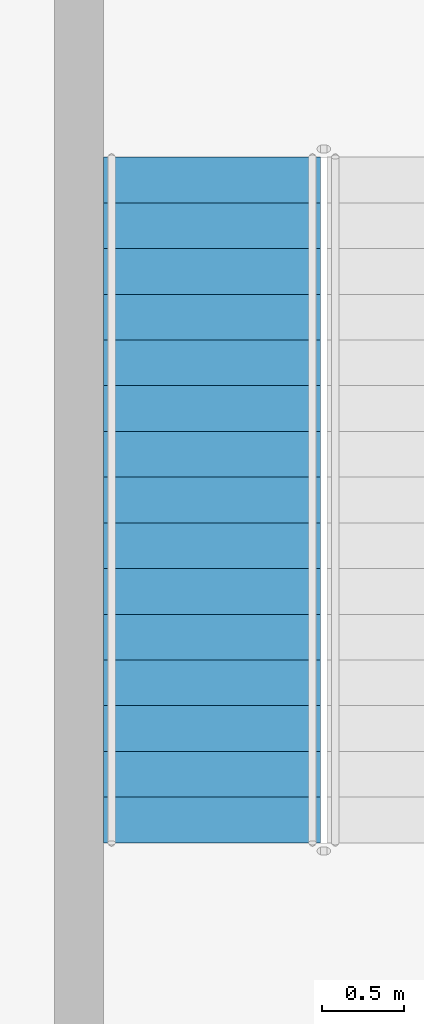
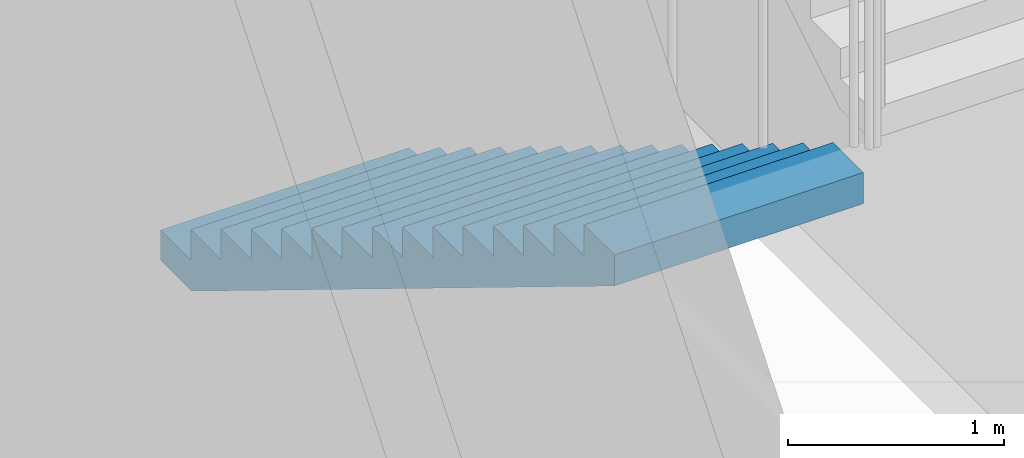
# One storey, part 16 of 23: 1 stair flight, 1 element without a shape of its own.
"""IFC4 building model written with IfcOpenShell, lengths in metres."""

from ifc_helpers import new_model, si_unit, direction, frame, origin, place, context, subcontext, project, spatial, triangles, source, transform, mapped, material, type_object, element, aggregate, save


model = new_model("IFC4")

# Units and contexts
model_context = context("Model", 3, precision=1e-05, world=origin(), true_north=direction((0.0, 1.0)))
body_context = subcontext(model_context, "Body", "Model", "MODEL_VIEW")
ifc_project = project(units=[si_unit("LENGTHUNIT", "METRE"), si_unit("AREAUNIT", "SQUARE_METRE"), si_unit("VOLUMEUNIT", "CUBIC_METRE"), si_unit("PLANEANGLEUNIT", "RADIAN"), si_unit("MASSUNIT", "GRAM", prefix="KILO")], contexts=[model_context])

# Site, building, storey
site_placement = place(None, origin())
site = spatial("IfcSite", under=ifc_project, at=site_placement, CompositionType="ELEMENT")
building_placement = place(site_placement, origin())
building = spatial("IfcBuilding", under=site, at=building_placement, Name="Ogive Portal Towers", CompositionType="ELEMENT")
storey_placement = place(building_placement, frame((0.0, 0.0, 249.39990234375)))
storey = spatial("IfcBuildingStorey", under=building, at=storey_placement, Name="L62", CompositionType="ELEMENT", Elevation=249.39990234375)

# Stair, stair flight
ifc_material = material(Name="Concrete C40/50", Category="concrete")
stair_type = type_object("IfcStairType", Name="INT-STAIR", PredefinedType="HALF_TURN_STAIR", material=ifc_material)
stair_placement = place(storey_placement, origin())
stair = element("IfcStair", 1, at=stair_placement, inside=storey, type_object=stair_type, Name="L62 Exit Stair ST-A4", PredefinedType="HALF_TURN_STAIR")
stair_flight_type = type_object("IfcStairFlightType", Name="INT-FLIGHT", PredefinedType="STRAIGHT", material=ifc_material)
shared_shape = source(origin(), body_context, "Body", "Tessellation", [
    triangles([(0.0, -0.6650390625, 0.0), (0.0, -0.384765625, 0.0), (0.0, -0.197021484375, 0.0), (0.0, -0.0830078125, 0.0), (0.0, -0.024658203125, 0.0), (0.0, -0.003173828125, 0.0), (0.0, 0.0, 0.0), (0.0, 0.003173828125, 0.0), (0.0, 0.024658203125, 0.0), (0.0, 0.0830078125, 0.0), (0.0, 0.197021484375, 0.0), (0.0, 0.384765625, 0.0), (0.0, 0.6650390625, 0.0), (0.0, -0.6650390625, 0.171875), (0.0, -0.384765625, 0.171875), (0.0, -0.197021484375, 0.171875), (0.0, -0.0830078125, 0.171875), (0.0, -0.024658203125, 0.171875), (0.0, -0.003173828125, 0.171875), (0.0, 0.0, 0.171875), (0.0, 0.003173828125, 0.171875), (0.0, 0.024658203125, 0.171875), (0.0, 0.0830078125, 0.171875), (0.0, 0.197021484375, 0.171875), (0.0, 0.384765625, 0.171875), (0.0, 0.6650390625, 0.171875), (0.280029296875, -0.6650390625, 0.171875), (0.280029296875, -0.384765625, 0.171875), (0.280029296875, -0.197021484375, 0.171875), (0.280029296875, -0.0830078125, 0.171875), (0.280029296875, -0.024658203125, 0.171875), (0.280029296875, -0.003173828125, 0.171875), (0.280029296875, 0.0, 0.171875), (0.280029296875, 0.003173828125, 0.171875), (0.280029296875, 0.024658203125, 0.171875), (0.280029296875, 0.0830078125, 0.171875), (0.280029296875, 0.197021484375, 0.171875), (0.280029296875, 0.384765625, 0.171875), (0.280029296875, 0.6650390625, 0.171875), (0.280029296875, -0.6650390625, 0.34375), (0.280029296875, -0.384765625, 0.34375), (0.280029296875, -0.197021484375, 0.34375), (0.280029296875, -0.0830078125, 0.34375), (0.280029296875, -0.024658203125, 0.34375), (0.280029296875, -0.003173828125, 0.34375), (0.280029296875, 0.0, 0.34375), (0.280029296875, 0.003173828125, 0.34375), (0.280029296875, 0.024658203125, 0.34375), (0.280029296875, 0.0830078125, 0.34375), (0.280029296875, 0.197021484375, 0.34375), (0.280029296875, 0.384765625, 0.34375), (0.280029296875, 0.6650390625, 0.34375), (0.56005859375, -0.6650390625, 0.34375), (0.56005859375, -0.384765625, 0.34375), (0.56005859375, -0.197021484375, 0.34375), (0.56005859375, -0.0830078125, 0.34375), (0.56005859375, -0.024658203125, 0.34375), (0.56005859375, -0.003173828125, 0.34375), (0.56005859375, 0.0, 0.34375), (0.56005859375, 0.003173828125, 0.34375), (0.56005859375, 0.024658203125, 0.34375), (0.56005859375, 0.0830078125, 0.34375), (0.56005859375, 0.197021484375, 0.34375), (0.56005859375, 0.384765625, 0.34375), (0.56005859375, 0.6650390625, 0.34375), (0.56005859375, -0.6650390625, 0.515625), (0.56005859375, -0.384765625, 0.515625), (0.56005859375, -0.197021484375, 0.515625), (0.56005859375, -0.0830078125, 0.515625), (0.56005859375, -0.024658203125, 0.515625), (0.56005859375, -0.003173828125, 0.515625), (0.56005859375, 0.0, 0.515625), (0.56005859375, 0.003173828125, 0.515625), (0.56005859375, 0.024658203125, 0.515625), (0.56005859375, 0.0830078125, 0.515625), (0.56005859375, 0.197021484375, 0.515625), (0.56005859375, 0.384765625, 0.515625), (0.56005859375, 0.6650390625, 0.515625), (0.840087890625, -0.6650390625, 0.515625), (0.840087890625, -0.384765625, 0.515625), (0.840087890625, -0.197021484375, 0.515625), (0.840087890625, -0.0830078125, 0.515625), (0.840087890625, -0.024658203125, 0.515625), (0.840087890625, -0.003173828125, 0.515625), (0.840087890625, 0.0, 0.515625), (0.840087890625, 0.003173828125, 0.515625), (0.840087890625, 0.024658203125, 0.515625), (0.840087890625, 0.0830078125, 0.515625), (0.840087890625, 0.197021484375, 0.515625), (0.840087890625, 0.384765625, 0.515625), (0.840087890625, 0.6650390625, 0.515625), (0.840087890625, -0.6650390625, 0.6875), (0.840087890625, -0.384765625, 0.6875), (0.840087890625, -0.197021484375, 0.6875), (0.840087890625, -0.0830078125, 0.6875), (0.840087890625, -0.024658203125, 0.6875), (0.840087890625, -0.003173828125, 0.6875), (0.840087890625, 0.0, 0.6875), (0.840087890625, 0.003173828125, 0.6875), (0.840087890625, 0.024658203125, 0.6875), (0.840087890625, 0.0830078125, 0.6875), (0.840087890625, 0.197021484375, 0.6875), (0.840087890625, 0.384765625, 0.6875), (0.840087890625, 0.6650390625, 0.6875), (1.1201171875, -0.6650390625, 0.6875), (1.1201171875, -0.384765625, 0.6875), (1.1201171875, -0.197021484375, 0.6875), (1.1201171875, -0.0830078125, 0.6875), (1.1201171875, -0.024658203125, 0.6875), (1.1201171875, -0.003173828125, 0.6875), (1.1201171875, 0.0, 0.6875), (1.1201171875, 0.003173828125, 0.6875), (1.1201171875, 0.024658203125, 0.6875), (1.1201171875, 0.0830078125, 0.6875), (1.1201171875, 0.197021484375, 0.6875), (1.1201171875, 0.384765625, 0.6875), (1.1201171875, 0.6650390625, 0.6875), (1.1201171875, -0.6650390625, 0.859375), (1.1201171875, -0.384765625, 0.859375), (1.1201171875, -0.197021484375, 0.859375), (1.1201171875, -0.0830078125, 0.859375), (1.1201171875, -0.024658203125, 0.859375), (1.1201171875, -0.003173828125, 0.859375), (1.1201171875, 0.0, 0.859375), (1.1201171875, 0.003173828125, 0.859375), (1.1201171875, 0.024658203125, 0.859375), (1.1201171875, 0.0830078125, 0.859375), (1.1201171875, 0.197021484375, 0.859375), (1.1201171875, 0.384765625, 0.859375), (1.1201171875, 0.6650390625, 0.859375), (1.39990234375, -0.6650390625, 0.859375), (1.39990234375, -0.384765625, 0.859375), (1.39990234375, -0.197021484375, 0.859375), (1.39990234375, -0.0830078125, 0.859375), (1.39990234375, -0.024658203125, 0.859375), (1.39990234375, -0.003173828125, 0.859375), (1.39990234375, 0.0, 0.859375), (1.39990234375, 0.003173828125, 0.859375), (1.39990234375, 0.024658203125, 0.859375), (1.39990234375, 0.0830078125, 0.859375), (1.39990234375, 0.197021484375, 0.859375), (1.39990234375, 0.384765625, 0.859375), (1.39990234375, 0.6650390625, 0.859375), (1.39990234375, -0.6650390625, 1.03125), (1.39990234375, -0.384765625, 1.03125), (1.39990234375, -0.197021484375, 1.03125), (1.39990234375, -0.0830078125, 1.03125), (1.39990234375, -0.024658203125, 1.03125), (1.39990234375, -0.003173828125, 1.03125), (1.39990234375, 0.0, 1.03125), (1.39990234375, 0.003173828125, 1.03125), (1.39990234375, 0.024658203125, 1.03125), (1.39990234375, 0.0830078125, 1.03125), (1.39990234375, 0.197021484375, 1.03125), (1.39990234375, 0.384765625, 1.03125), (1.39990234375, 0.6650390625, 1.03125), (1.679931640625, -0.6650390625, 1.03125), (1.679931640625, -0.384765625, 1.03125), (1.679931640625, -0.197021484375, 1.03125), (1.679931640625, -0.0830078125, 1.03125), (1.679931640625, -0.024658203125, 1.03125), (1.679931640625, -0.003173828125, 1.03125), (1.679931640625, 0.0, 1.03125), (1.679931640625, 0.003173828125, 1.03125), (1.679931640625, 0.024658203125, 1.03125), (1.679931640625, 0.0830078125, 1.03125), (1.679931640625, 0.197021484375, 1.03125), (1.679931640625, 0.384765625, 1.03125), (1.679931640625, 0.6650390625, 1.03125), (1.679931640625, -0.6650390625, 1.203125), (1.679931640625, -0.384765625, 1.203125), (1.679931640625, -0.197021484375, 1.203125), (1.679931640625, -0.0830078125, 1.203125), (1.679931640625, -0.024658203125, 1.203125), (1.679931640625, -0.003173828125, 1.203125), (1.679931640625, 0.0, 1.203125), (1.679931640625, 0.003173828125, 1.203125), (1.679931640625, 0.024658203125, 1.203125), (1.679931640625, 0.0830078125, 1.203125), (1.679931640625, 0.197021484375, 1.203125), (1.679931640625, 0.384765625, 1.203125), (1.679931640625, 0.6650390625, 1.203125), (1.9599609375, -0.6650390625, 1.203125), (1.9599609375, -0.384765625, 1.203125), (1.9599609375, -0.197021484375, 1.203125), (1.9599609375, -0.0830078125, 1.203125), (1.9599609375, -0.024658203125, 1.203125), (1.9599609375, -0.003173828125, 1.203125), (1.9599609375, 0.0, 1.203125), (1.9599609375, 0.003173828125, 1.203125), (1.9599609375, 0.024658203125, 1.203125), (1.9599609375, 0.0830078125, 1.203125), (1.9599609375, 0.197021484375, 1.203125), (1.9599609375, 0.384765625, 1.203125), (1.9599609375, 0.6650390625, 1.203125), (1.9599609375, -0.6650390625, 1.375), (1.9599609375, -0.384765625, 1.375), (1.9599609375, -0.197021484375, 1.375), (1.9599609375, -0.0830078125, 1.375), (1.9599609375, -0.024658203125, 1.375), (1.9599609375, -0.003173828125, 1.375), (1.9599609375, 0.0, 1.375), (1.9599609375, 0.003173828125, 1.375), (1.9599609375, 0.024658203125, 1.375), (1.9599609375, 0.0830078125, 1.375), (1.9599609375, 0.197021484375, 1.375), (1.9599609375, 0.384765625, 1.375), (1.9599609375, 0.6650390625, 1.375), (2.239990234375, -0.6650390625, 1.375), (2.239990234375, -0.384765625, 1.375), (2.239990234375, -0.197021484375, 1.375), (2.239990234375, -0.0830078125, 1.375), (2.239990234375, -0.024658203125, 1.375), (2.239990234375, -0.003173828125, 1.375), (2.239990234375, 0.0, 1.375), (2.239990234375, 0.003173828125, 1.375), (2.239990234375, 0.024658203125, 1.375), (2.239990234375, 0.0830078125, 1.375), (2.239990234375, 0.197021484375, 1.375), (2.239990234375, 0.384765625, 1.375), (2.239990234375, 0.6650390625, 1.375), (2.239990234375, -0.6650390625, 1.546875), (2.239990234375, -0.384765625, 1.546875), (2.239990234375, -0.197021484375, 1.546875), (2.239990234375, -0.0830078125, 1.546875), (2.239990234375, -0.024658203125, 1.546875), (2.239990234375, -0.003173828125, 1.546875), (2.239990234375, 0.0, 1.546875), (2.239990234375, 0.003173828125, 1.546875), (2.239990234375, 0.024658203125, 1.546875), (2.239990234375, 0.0830078125, 1.546875), (2.239990234375, 0.197021484375, 1.546875), (2.239990234375, 0.384765625, 1.546875), (2.239990234375, 0.6650390625, 1.546875), (2.52001953125, -0.6650390625, 1.546875), (2.52001953125, -0.384765625, 1.546875), (2.52001953125, -0.197021484375, 1.546875), (2.52001953125, -0.0830078125, 1.546875), (2.52001953125, -0.024658203125, 1.546875), (2.52001953125, -0.003173828125, 1.546875), (2.52001953125, 0.0, 1.546875), (2.52001953125, 0.003173828125, 1.546875), (2.52001953125, 0.024658203125, 1.546875), (2.52001953125, 0.0830078125, 1.546875), (2.52001953125, 0.197021484375, 1.546875), (2.52001953125, 0.384765625, 1.546875), (2.52001953125, 0.6650390625, 1.546875), (2.52001953125, -0.6650390625, 1.71875), (2.52001953125, -0.384765625, 1.71875), (2.52001953125, -0.197021484375, 1.71875), (2.52001953125, -0.0830078125, 1.71875), (2.52001953125, -0.024658203125, 1.71875), (2.52001953125, -0.003173828125, 1.71875), (2.52001953125, 0.0, 1.71875), (2.52001953125, 0.003173828125, 1.71875), (2.52001953125, 0.024658203125, 1.71875), (2.52001953125, 0.0830078125, 1.71875), (2.52001953125, 0.197021484375, 1.71875), (2.52001953125, 0.384765625, 1.71875), (2.52001953125, 0.6650390625, 1.71875), (2.800048828125, -0.6650390625, 1.71875), (2.800048828125, -0.384765625, 1.71875), (2.800048828125, -0.197021484375, 1.71875), (2.800048828125, -0.0830078125, 1.71875), (2.800048828125, -0.024658203125, 1.71875), (2.800048828125, -0.003173828125, 1.71875), (2.800048828125, 0.0, 1.71875), (2.800048828125, 0.003173828125, 1.71875), (2.800048828125, 0.024658203125, 1.71875), (2.800048828125, 0.0830078125, 1.71875), (2.800048828125, 0.197021484375, 1.71875), (2.800048828125, 0.384765625, 1.71875), (2.800048828125, 0.6650390625, 1.71875), (2.800048828125, -0.6650390625, 1.890625), (2.800048828125, -0.384765625, 1.890625), (2.800048828125, -0.197021484375, 1.890625), (2.800048828125, -0.0830078125, 1.890625), (2.800048828125, -0.024658203125, 1.890625), (2.800048828125, -0.003173828125, 1.890625), (2.800048828125, 0.0, 1.890625), (2.800048828125, 0.003173828125, 1.890625), (2.800048828125, 0.024658203125, 1.890625), (2.800048828125, 0.0830078125, 1.890625), (2.800048828125, 0.197021484375, 1.890625), (2.800048828125, 0.384765625, 1.890625), (2.800048828125, 0.6650390625, 1.890625), (3.080078125, -0.6650390625, 1.890625), (3.080078125, -0.384765625, 1.890625), (3.080078125, -0.197021484375, 1.890625), (3.080078125, -0.0830078125, 1.890625), (3.080078125, -0.024658203125, 1.890625), (3.080078125, -0.003173828125, 1.890625), (3.080078125, 0.0, 1.890625), (3.080078125, 0.003173828125, 1.890625), (3.080078125, 0.024658203125, 1.890625), (3.080078125, 0.0830078125, 1.890625), (3.080078125, 0.197021484375, 1.890625), (3.080078125, 0.384765625, 1.890625), (3.080078125, 0.6650390625, 1.890625), (3.080078125, -0.6650390625, 2.0625), (3.080078125, -0.384765625, 2.0625), (3.080078125, -0.197021484375, 2.0625), (3.080078125, -0.0830078125, 2.0625), (3.080078125, -0.024658203125, 2.0625), (3.080078125, -0.003173828125, 2.0625), (3.080078125, 0.0, 2.0625), (3.080078125, 0.003173828125, 2.0625), (3.080078125, 0.024658203125, 2.0625), (3.080078125, 0.0830078125, 2.0625), (3.080078125, 0.197021484375, 2.0625), (3.080078125, 0.384765625, 2.0625), (3.080078125, 0.6650390625, 2.0625), (3.360107421875, -0.6650390625, 2.0625), (3.360107421875, -0.384765625, 2.0625), (3.360107421875, -0.197021484375, 2.0625), (3.360107421875, -0.0830078125, 2.0625), (3.360107421875, -0.024658203125, 2.0625), (3.360107421875, -0.003173828125, 2.0625), (3.360107421875, 0.0, 2.0625), (3.360107421875, 0.003173828125, 2.0625), (3.360107421875, 0.024658203125, 2.0625), (3.360107421875, 0.0830078125, 2.0625), (3.360107421875, 0.197021484375, 2.0625), (3.360107421875, 0.384765625, 2.0625), (3.360107421875, 0.6650390625, 2.0625), (3.360107421875, -0.6650390625, 2.234375), (3.360107421875, -0.384765625, 2.234375), (3.360107421875, -0.197021484375, 2.234375), (3.360107421875, -0.0830078125, 2.234375), (3.360107421875, -0.024658203125, 2.234375), (3.360107421875, -0.003173828125, 2.234375), (3.360107421875, 0.0, 2.234375), (3.360107421875, 0.003173828125, 2.234375), (3.360107421875, 0.024658203125, 2.234375), (3.360107421875, 0.0830078125, 2.234375), (3.360107421875, 0.197021484375, 2.234375), (3.360107421875, 0.384765625, 2.234375), (3.360107421875, 0.6650390625, 2.234375), (3.639892578125, -0.6650390625, 2.234375), (3.639892578125, -0.384765625, 2.234375), (3.639892578125, -0.197021484375, 2.234375), (3.639892578125, -0.0830078125, 2.234375), (3.639892578125, -0.024658203125, 2.234375), (3.639892578125, -0.003173828125, 2.234375), (3.639892578125, 0.0, 2.234375), (3.639892578125, 0.003173828125, 2.234375), (3.639892578125, 0.024658203125, 2.234375), (3.639892578125, 0.0830078125, 2.234375), (3.639892578125, 0.197021484375, 2.234375), (3.639892578125, 0.384765625, 2.234375), (3.639892578125, 0.6650390625, 2.234375), (3.639892578125, -0.6650390625, 2.40625), (3.639892578125, -0.384765625, 2.40625), (3.639892578125, -0.197021484375, 2.40625), (3.639892578125, -0.0830078125, 2.40625), (3.639892578125, -0.024658203125, 2.40625), (3.639892578125, -0.003173828125, 2.40625), (3.639892578125, 0.0, 2.40625), (3.639892578125, 0.003173828125, 2.40625), (3.639892578125, 0.024658203125, 2.40625), (3.639892578125, 0.0830078125, 2.40625), (3.639892578125, 0.197021484375, 2.40625), (3.639892578125, 0.384765625, 2.40625), (3.639892578125, 0.6650390625, 2.40625), (3.919921875, -0.6650390625, 2.40625), (3.919921875, -0.384765625, 2.40625), (3.919921875, -0.197021484375, 2.40625), (3.919921875, -0.0830078125, 2.40625), (3.919921875, -0.024658203125, 2.40625), (3.919921875, -0.003173828125, 2.40625), (3.919921875, 0.0, 2.40625), (3.919921875, 0.003173828125, 2.40625), (3.919921875, 0.024658203125, 2.40625), (3.919921875, 0.0830078125, 2.40625), (3.919921875, 0.197021484375, 2.40625), (3.919921875, 0.384765625, 2.40625), (3.919921875, 0.6650390625, 2.40625), (3.919921875, -0.6650390625, 2.578125), (3.919921875, -0.384765625, 2.578125), (3.919921875, -0.197021484375, 2.578125), (3.919921875, -0.0830078125, 2.578125), (3.919921875, -0.024658203125, 2.578125), (3.919921875, -0.003173828125, 2.578125), (3.919921875, 0.0, 2.578125), (3.919921875, 0.003173828125, 2.578125), (3.919921875, 0.024658203125, 2.578125), (3.919921875, 0.0830078125, 2.578125), (3.919921875, 0.197021484375, 2.578125), (3.919921875, 0.384765625, 2.578125), (3.919921875, 0.6650390625, 2.578125), (4.199951171875, -0.6650390625, 2.578125), (4.199951171875, -0.384765625, 2.578125), (4.199951171875, -0.197021484375, 2.578125), (4.199951171875, -0.0830078125, 2.578125), (4.199951171875, -0.024658203125, 2.578125), (4.199951171875, -0.003173828125, 2.578125), (4.199951171875, 0.0, 2.578125), (4.199951171875, 0.003173828125, 2.578125), (4.199951171875, 0.024658203125, 2.578125), (4.199951171875, 0.0830078125, 2.578125), (4.199951171875, 0.197021484375, 2.578125), (4.199951171875, 0.384765625, 2.578125), (4.199951171875, 0.6650390625, 2.578125), (4.199951171875, -0.6650390625, 2.40234375), (4.199951171875, -0.384765625, 2.40234375), (4.199951171875, -0.197021484375, 2.40234375), (4.199951171875, -0.0830078125, 2.40234375), (4.199951171875, -0.024658203125, 2.40234375), (4.199951171875, -0.003173828125, 2.40234375), (4.199951171875, 0.0, 2.40234375), (4.199951171875, 0.003173828125, 2.40234375), (4.199951171875, 0.024658203125, 2.40234375), (4.199951171875, 0.0830078125, 2.40234375), (4.199951171875, 0.197021484375, 2.40234375), (4.199951171875, 0.384765625, 2.40234375), (4.199951171875, 0.6650390625, 2.40234375), (0.28662109375, -0.6650390625, 0.0), (0.28662109375, -0.384765625, 0.0), (0.28662109375, -0.197021484375, 0.0), (0.28662109375, -0.0830078125, 0.0), (0.28662109375, -0.024658203125, 0.0), (0.28662109375, -0.003173828125, 0.0), (0.28662109375, 0.0, 0.0), (0.28662109375, 0.003173828125, 0.0), (0.28662109375, 0.024658203125, 0.0), (0.28662109375, 0.0830078125, 0.0), (0.28662109375, 0.197021484375, 0.0), (0.28662109375, 0.384765625, 0.0), (0.28662109375, 0.6650390625, 0.0)], [[1, 14, 15], [1, 15, 2], [2, 15, 16], [2, 16, 3], [3, 16, 17], [3, 17, 4], [4, 17, 18], [4, 18, 5], [5, 18, 19], [5, 19, 6], [6, 19, 20], [6, 20, 7], [7, 20, 21], [7, 21, 8], [8, 21, 22], [8, 22, 9], [9, 22, 23], [9, 23, 10], [10, 23, 24], [10, 24, 11], [11, 24, 25], [11, 25, 12], [12, 25, 26], [12, 26, 13], [14, 27, 28], [14, 28, 15], [15, 28, 29], [15, 29, 16], [16, 29, 30], [16, 30, 17], [17, 30, 31], [17, 31, 18], [18, 31, 32], [18, 32, 19], [19, 32, 33], [19, 33, 20], [20, 33, 34], [20, 34, 21], [21, 34, 35], [21, 35, 22], [22, 35, 36], [22, 36, 23], [23, 36, 37], [23, 37, 24], [24, 37, 38], [24, 38, 25], [25, 38, 39], [25, 39, 26], [27, 40, 41], [27, 41, 28], [28, 41, 42], [28, 42, 29], [29, 42, 43], [29, 43, 30], [30, 43, 44], [30, 44, 31], [31, 44, 45], [31, 45, 32], [32, 45, 46], [32, 46, 33], [33, 46, 47], [33, 47, 34], [34, 47, 48], [34, 48, 35], [35, 48, 49], [35, 49, 36], [36, 49, 50], [36, 50, 37], [37, 50, 51], [37, 51, 38], [38, 51, 52], [38, 52, 39], [40, 53, 54], [40, 54, 41], [41, 54, 55], [41, 55, 42], [42, 55, 56], [42, 56, 43], [43, 56, 57], [43, 57, 44], [44, 57, 58], [44, 58, 45], [45, 58, 59], [45, 59, 46], [46, 59, 60], [46, 60, 47], [47, 60, 61], [47, 61, 48], [48, 61, 62], [48, 62, 49], [49, 62, 63], [49, 63, 50], [50, 63, 64], [50, 64, 51], [51, 64, 65], [51, 65, 52], [53, 66, 67], [53, 67, 54], [54, 67, 68], [54, 68, 55], [55, 68, 69], [55, 69, 56], [56, 69, 70], [56, 70, 57], [57, 70, 71], [57, 71, 58], [58, 71, 72], [58, 72, 59], [59, 72, 73], [59, 73, 60], [60, 73, 74], [60, 74, 61], [61, 74, 75], [61, 75, 62], [62, 75, 76], [62, 76, 63], [63, 76, 77], [63, 77, 64], [64, 77, 78], [64, 78, 65], [66, 79, 80], [66, 80, 67], [67, 80, 81], [67, 81, 68], [68, 81, 82], [68, 82, 69], [69, 82, 83], [69, 83, 70], [70, 83, 84], [70, 84, 71], [71, 84, 85], [71, 85, 72], [72, 85, 86], [72, 86, 73], [73, 86, 87], [73, 87, 74], [74, 87, 88], [74, 88, 75], [75, 88, 89], [75, 89, 76], [76, 89, 90], [76, 90, 77], [77, 90, 91], [77, 91, 78], [79, 92, 93], [79, 93, 80], [80, 93, 94], [80, 94, 81], [81, 94, 95], [81, 95, 82], [82, 95, 96], [82, 96, 83], [83, 96, 97], [83, 97, 84], [84, 97, 98], [84, 98, 85], [85, 98, 99], [85, 99, 86], [86, 99, 100], [86, 100, 87], [87, 100, 101], [87, 101, 88], [88, 101, 102], [88, 102, 89], [89, 102, 103], [89, 103, 90], [90, 103, 104], [90, 104, 91], [92, 105, 106], [92, 106, 93], [93, 106, 107], [93, 107, 94], [94, 107, 108], [94, 108, 95], [95, 108, 109], [95, 109, 96], [96, 109, 110], [96, 110, 97], [97, 110, 111], [97, 111, 98], [98, 111, 112], [98, 112, 99], [99, 112, 113], [99, 113, 100], [100, 113, 114], [100, 114, 101], [101, 114, 115], [101, 115, 102], [102, 115, 116], [102, 116, 103], [103, 116, 117], [103, 117, 104], [105, 118, 119], [105, 119, 106], [106, 119, 120], [106, 120, 107], [107, 120, 121], [107, 121, 108], [108, 121, 122], [108, 122, 109], [109, 122, 123], [109, 123, 110], [110, 123, 124], [110, 124, 111], [111, 124, 125], [111, 125, 112], [112, 125, 126], [112, 126, 113], [113, 126, 127], [113, 127, 114], [114, 127, 128], [114, 128, 115], [115, 128, 129], [115, 129, 116], [116, 129, 130], [116, 130, 117], [118, 131, 132], [118, 132, 119], [119, 132, 133], [119, 133, 120], [120, 133, 134], [120, 134, 121], [121, 134, 135], [121, 135, 122], [122, 135, 136], [122, 136, 123], [123, 136, 137], [123, 137, 124], [124, 137, 138], [124, 138, 125], [125, 138, 139], [125, 139, 126], [126, 139, 140], [126, 140, 127], [127, 140, 141], [127, 141, 128], [128, 141, 142], [128, 142, 129], [129, 142, 143], [129, 143, 130], [131, 144, 145], [131, 145, 132], [132, 145, 146], [132, 146, 133], [133, 146, 147], [133, 147, 134], [134, 147, 148], [134, 148, 135], [135, 148, 149], [135, 149, 136], [136, 149, 150], [136, 150, 137], [137, 150, 151], [137, 151, 138], [138, 151, 152], [138, 152, 139], [139, 152, 153], [139, 153, 140], [140, 153, 154], [140, 154, 141], [141, 154, 155], [141, 155, 142], [142, 155, 156], [142, 156, 143], [144, 157, 158], [144, 158, 145], [145, 158, 159], [145, 159, 146], [146, 159, 160], [146, 160, 147], [147, 160, 161], [147, 161, 148], [148, 161, 162], [148, 162, 149], [149, 162, 163], [149, 163, 150], [150, 163, 164], [150, 164, 151], [151, 164, 165], [151, 165, 152], [152, 165, 166], [152, 166, 153], [153, 166, 167], [153, 167, 154], [154, 167, 168], [154, 168, 155], [155, 168, 169], [155, 169, 156], [157, 170, 171], [157, 171, 158], [158, 171, 172], [158, 172, 159], [159, 172, 173], [159, 173, 160], [160, 173, 174], [160, 174, 161], [161, 174, 175], [161, 175, 162], [162, 175, 176], [162, 176, 163], [163, 176, 177], [163, 177, 164], [164, 177, 178], [164, 178, 165], [165, 178, 179], [165, 179, 166], [166, 179, 180], [166, 180, 167], [167, 180, 181], [167, 181, 168], [168, 181, 182], [168, 182, 169], [170, 183, 184], [170, 184, 171], [171, 184, 185], [171, 185, 172], [172, 185, 186], [172, 186, 173], [173, 186, 187], [173, 187, 174], [174, 187, 188], [174, 188, 175], [175, 188, 189], [175, 189, 176], [176, 189, 190], [176, 190, 177], [177, 190, 191], [177, 191, 178], [178, 191, 192], [178, 192, 179], [179, 192, 193], [179, 193, 180], [180, 193, 194], [180, 194, 181], [181, 194, 195], [181, 195, 182], [183, 196, 197], [183, 197, 184], [184, 197, 198], [184, 198, 185], [185, 198, 199], [185, 199, 186], [186, 199, 200], [186, 200, 187], [187, 200, 201], [187, 201, 188], [188, 201, 202], [188, 202, 189], [189, 202, 203], [189, 203, 190], [190, 203, 204], [190, 204, 191], [191, 204, 205], [191, 205, 192], [192, 205, 206], [192, 206, 193], [193, 206, 207], [193, 207, 194], [194, 207, 208], [194, 208, 195], [196, 209, 210], [196, 210, 197], [197, 210, 211], [197, 211, 198], [198, 211, 212], [198, 212, 199], [199, 212, 213], [199, 213, 200], [200, 213, 214], [200, 214, 201], [201, 214, 215], [201, 215, 202], [202, 215, 216], [202, 216, 203], [203, 216, 217], [203, 217, 204], [204, 217, 218], [204, 218, 205], [205, 218, 219], [205, 219, 206], [206, 219, 220], [206, 220, 207], [207, 220, 221], [207, 221, 208], [209, 222, 223], [209, 223, 210], [210, 223, 224], [210, 224, 211], [211, 224, 225], [211, 225, 212], [212, 225, 226], [212, 226, 213], [213, 226, 227], [213, 227, 214], [214, 227, 228], [214, 228, 215], [215, 228, 229], [215, 229, 216], [216, 229, 230], [216, 230, 217], [217, 230, 231], [217, 231, 218], [218, 231, 232], [218, 232, 219], [219, 232, 233], [219, 233, 220], [220, 233, 234], [220, 234, 221], [222, 235, 236], [222, 236, 223], [223, 236, 237], [223, 237, 224], [224, 237, 238], [224, 238, 225], [225, 238, 239], [225, 239, 226], [226, 239, 240], [226, 240, 227], [227, 240, 241], [227, 241, 228], [228, 241, 242], [228, 242, 229], [229, 242, 243], [229, 243, 230], [230, 243, 244], [230, 244, 231], [231, 244, 245], [231, 245, 232], [232, 245, 246], [232, 246, 233], [233, 246, 247], [233, 247, 234], [235, 248, 249], [235, 249, 236], [236, 249, 250], [236, 250, 237], [237, 250, 251], [237, 251, 238], [238, 251, 252], [238, 252, 239], [239, 252, 253], [239, 253, 240], [240, 253, 254], [240, 254, 241], [241, 254, 255], [241, 255, 242], [242, 255, 256], [242, 256, 243], [243, 256, 257], [243, 257, 244], [244, 257, 258], [244, 258, 245], [245, 258, 259], [245, 259, 246], [246, 259, 260], [246, 260, 247], [248, 261, 262], [248, 262, 249], [249, 262, 263], [249, 263, 250], [250, 263, 264], [250, 264, 251], [251, 264, 265], [251, 265, 252], [252, 265, 266], [252, 266, 253], [253, 266, 267], [253, 267, 254], [254, 267, 268], [254, 268, 255], [255, 268, 269], [255, 269, 256], [256, 269, 270], [256, 270, 257], [257, 270, 271], [257, 271, 258], [258, 271, 272], [258, 272, 259], [259, 272, 273], [259, 273, 260], [261, 274, 275], [261, 275, 262], [262, 275, 276], [262, 276, 263], [263, 276, 277], [263, 277, 264], [264, 277, 278], [264, 278, 265], [265, 278, 279], [265, 279, 266], [266, 279, 280], [266, 280, 267], [267, 280, 281], [267, 281, 268], [268, 281, 282], [268, 282, 269], [269, 282, 283], [269, 283, 270], [270, 283, 284], [270, 284, 271], [271, 284, 285], [271, 285, 272], [272, 285, 286], [272, 286, 273], [274, 287, 288], [274, 288, 275], [275, 288, 289], [275, 289, 276], [276, 289, 290], [276, 290, 277], [277, 290, 291], [277, 291, 278], [278, 291, 292], [278, 292, 279], [279, 292, 293], [279, 293, 280], [280, 293, 294], [280, 294, 281], [281, 294, 295], [281, 295, 282], [282, 295, 296], [282, 296, 283], [283, 296, 297], [283, 297, 284], [284, 297, 298], [284, 298, 285], [285, 298, 299], [285, 299, 286], [287, 300, 301], [287, 301, 288], [288, 301, 302], [288, 302, 289], [289, 302, 303], [289, 303, 290], [290, 303, 304], [290, 304, 291], [291, 304, 305], [291, 305, 292], [292, 305, 306], [292, 306, 293], [293, 306, 307], [293, 307, 294], [294, 307, 308], [294, 308, 295], [295, 308, 309], [295, 309, 296], [296, 309, 310], [296, 310, 297], [297, 310, 311], [297, 311, 298], [298, 311, 312], [298, 312, 299], [300, 313, 314], [300, 314, 301], [301, 314, 315], [301, 315, 302], [302, 315, 316], [302, 316, 303], [303, 316, 317], [303, 317, 304], [304, 317, 318], [304, 318, 305], [305, 318, 319], [305, 319, 306], [306, 319, 320], [306, 320, 307], [307, 320, 321], [307, 321, 308], [308, 321, 322], [308, 322, 309], [309, 322, 323], [309, 323, 310], [310, 323, 324], [310, 324, 311], [311, 324, 325], [311, 325, 312], [313, 326, 327], [313, 327, 314], [314, 327, 328], [314, 328, 315], [315, 328, 329], [315, 329, 316], [316, 329, 330], [316, 330, 317], [317, 330, 331], [317, 331, 318], [318, 331, 332], [318, 332, 319], [319, 332, 333], [319, 333, 320], [320, 333, 334], [320, 334, 321], [321, 334, 335], [321, 335, 322], [322, 335, 336], [322, 336, 323], [323, 336, 337], [323, 337, 324], [324, 337, 338], [324, 338, 325], [326, 339, 340], [326, 340, 327], [327, 340, 341], [327, 341, 328], [328, 341, 342], [328, 342, 329], [329, 342, 343], [329, 343, 330], [330, 343, 344], [330, 344, 331], [331, 344, 345], [331, 345, 332], [332, 345, 346], [332, 346, 333], [333, 346, 347], [333, 347, 334], [334, 347, 348], [334, 348, 335], [335, 348, 349], [335, 349, 336], [336, 349, 350], [336, 350, 337], [337, 350, 351], [337, 351, 338], [339, 352, 353], [339, 353, 340], [340, 353, 354], [340, 354, 341], [341, 354, 355], [341, 355, 342], [342, 355, 356], [342, 356, 343], [343, 356, 357], [343, 357, 344], [344, 357, 358], [344, 358, 345], [345, 358, 359], [345, 359, 346], [346, 359, 360], [346, 360, 347], [347, 360, 361], [347, 361, 348], [348, 361, 362], [348, 362, 349], [349, 362, 363], [349, 363, 350], [350, 363, 364], [350, 364, 351], [352, 365, 366], [352, 366, 353], [353, 366, 367], [353, 367, 354], [354, 367, 368], [354, 368, 355], [355, 368, 369], [355, 369, 356], [356, 369, 370], [356, 370, 357], [357, 370, 371], [357, 371, 358], [358, 371, 372], [358, 372, 359], [359, 372, 373], [359, 373, 360], [360, 373, 374], [360, 374, 361], [361, 374, 375], [361, 375, 362], [362, 375, 376], [362, 376, 363], [363, 376, 377], [363, 377, 364], [365, 378, 379], [365, 379, 366], [366, 379, 380], [366, 380, 367], [367, 380, 381], [367, 381, 368], [368, 381, 382], [368, 382, 369], [369, 382, 383], [369, 383, 370], [370, 383, 384], [370, 384, 371], [371, 384, 385], [371, 385, 372], [372, 385, 386], [372, 386, 373], [373, 386, 387], [373, 387, 374], [374, 387, 388], [374, 388, 375], [375, 388, 389], [375, 389, 376], [376, 389, 390], [376, 390, 377], [378, 391, 392], [378, 392, 379], [379, 392, 393], [379, 393, 380], [380, 393, 394], [380, 394, 381], [381, 394, 395], [381, 395, 382], [382, 395, 396], [382, 396, 383], [383, 396, 397], [383, 397, 384], [384, 397, 398], [384, 398, 385], [385, 398, 399], [385, 399, 386], [386, 399, 400], [386, 400, 387], [387, 400, 401], [387, 401, 388], [388, 401, 402], [388, 402, 389], [389, 402, 403], [389, 403, 390], [391, 404, 405], [391, 405, 392], [392, 405, 406], [392, 406, 393], [393, 406, 407], [393, 407, 394], [394, 407, 408], [394, 408, 395], [395, 408, 409], [395, 409, 396], [396, 409, 410], [396, 410, 397], [397, 410, 411], [397, 411, 398], [398, 411, 412], [398, 412, 399], [399, 412, 413], [399, 413, 400], [400, 413, 414], [400, 414, 401], [401, 414, 415], [401, 415, 402], [402, 415, 416], [402, 416, 403], [404, 417, 418], [404, 418, 405], [405, 418, 419], [405, 419, 406], [406, 419, 420], [406, 420, 407], [407, 420, 421], [407, 421, 408], [408, 421, 422], [408, 422, 409], [409, 422, 423], [409, 423, 410], [410, 423, 424], [410, 424, 411], [411, 424, 425], [411, 425, 412], [412, 425, 426], [412, 426, 413], [413, 426, 427], [413, 427, 414], [414, 427, 428], [414, 428, 415], [415, 428, 429], [415, 429, 416], [417, 1, 2], [417, 2, 418], [418, 2, 3], [418, 3, 419], [419, 3, 4], [419, 4, 420], [420, 4, 5], [420, 5, 421], [421, 5, 6], [421, 6, 422], [422, 6, 7], [422, 7, 423], [423, 7, 8], [423, 8, 424], [424, 8, 9], [424, 9, 425], [425, 9, 10], [425, 10, 426], [426, 10, 11], [426, 11, 427], [427, 11, 12], [427, 12, 428], [428, 12, 13], [428, 13, 429], [1, 417, 404], [13, 416, 429], [404, 391, 378], [416, 390, 403], [404, 378, 365], [416, 377, 390], [404, 365, 352], [416, 364, 377], [404, 352, 339], [416, 351, 364], [339, 326, 313], [351, 325, 338], [404, 339, 313], [416, 325, 351], [313, 300, 287], [325, 299, 312], [404, 313, 287], [416, 299, 325], [287, 274, 261], [299, 273, 286], [404, 287, 261], [416, 273, 299], [261, 248, 235], [273, 247, 260], [404, 261, 235], [416, 247, 273], [235, 222, 209], [247, 221, 234], [404, 235, 209], [416, 221, 247], [209, 196, 183], [221, 195, 208], [404, 209, 183], [416, 195, 221], [183, 170, 157], [195, 169, 182], [404, 183, 157], [416, 169, 195], [157, 144, 131], [169, 143, 156], [404, 157, 131], [416, 143, 169], [131, 118, 105], [143, 117, 130], [404, 131, 105], [416, 117, 143], [105, 92, 79], [117, 91, 104], [404, 105, 79], [416, 91, 117], [79, 66, 53], [91, 65, 78], [404, 79, 53], [416, 65, 91], [53, 40, 27], [65, 39, 52], [404, 53, 27], [416, 39, 65], [1, 404, 27], [13, 39, 416], [27, 14, 1], [39, 13, 26]], closed=True),
])
stair_flight_placement = place(storey_placement, frame((87.6650390625, 29.169921875, 0.0), z_axis=(0.0, 0.0, 1.0), x_axis=(0.0, -1.0, 0.0)))
stair_flight = element("IfcStairFlight", 2, at=stair_flight_placement, type_object=stair_flight_type, Name="ST-A4 flight 1", NumberOfRisers=16, NumberOfTreads=15, PredefinedType="STRAIGHT", RiserHeight=0.171875, TreadLength=0.28, context=body_context, shape_type="MappedRepresentation", body=[
    mapped(shared_shape, transform((0.0, 0.0, 0.0), scale=1.0)),
])
aggregate(stair, [stair_flight])

save(model, "model.ifc")
